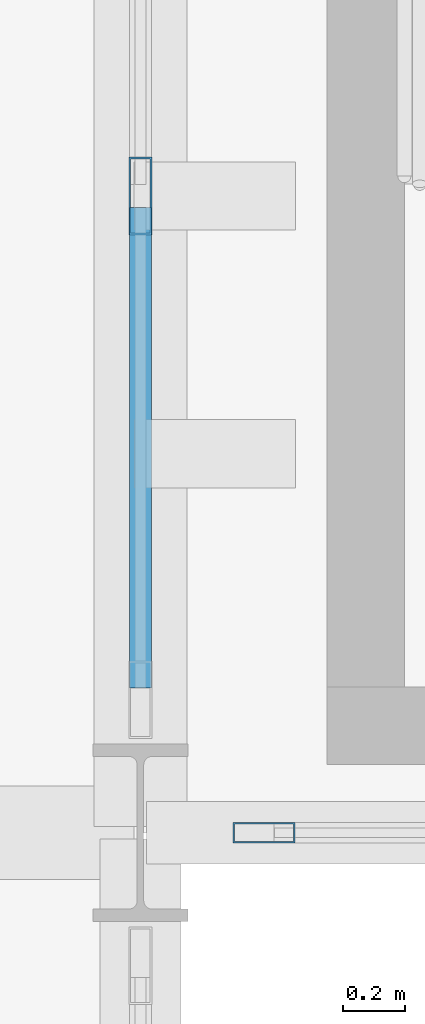
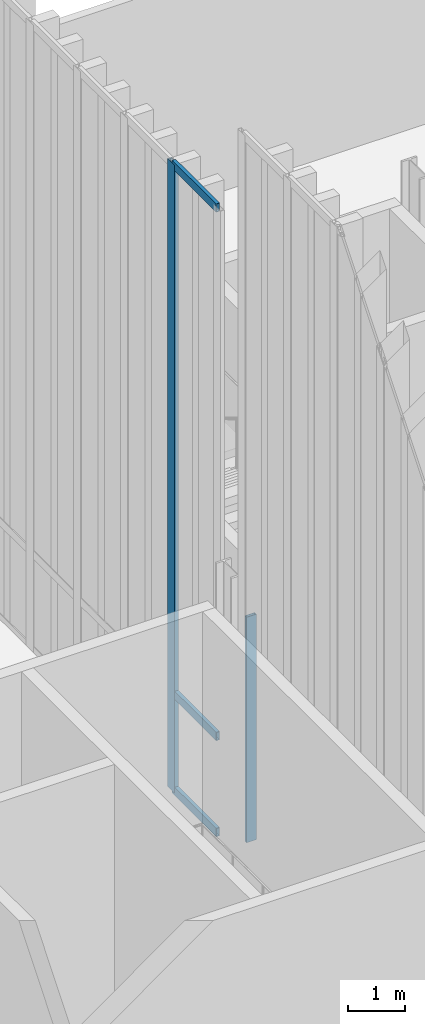
# One storey, part 70 of 237: 5 members, 2 elements without a shape of their own.
"""IFC4 building model written with IfcOpenShell, lengths in metres."""

from ifc_helpers import new_model, si_unit, direction, frame, origin, origin_2d, place, context, subcontext, project, spatial, hollow_rectangle, extrude, material, layer, layer_set, material_profile, profile_set, type_object, element, aggregate, save


model = new_model("IFC4")

# Units and contexts
model_context = context("Model", 3, precision=1e-05, world=origin(), true_north=direction((0.0, 1.0)))
body_context = subcontext(model_context, "Body", "Model", "MODEL_VIEW")
ifc_project = project(units=[si_unit("LENGTHUNIT", "METRE"), si_unit("AREAUNIT", "SQUARE_METRE"), si_unit("VOLUMEUNIT", "CUBIC_METRE"), si_unit("PLANEANGLEUNIT", "RADIAN"), si_unit("MASSUNIT", "GRAM", prefix="KILO")], contexts=[model_context])

# Site, building, storey
site_placement = place(None, origin())
site = spatial("IfcSite", under=ifc_project, at=site_placement, CompositionType="ELEMENT")
building_placement = place(site_placement, origin())
building = spatial("IfcBuilding", under=site, at=building_placement, Name="Barlavento Convention Centre", CompositionType="ELEMENT")
storey_placement = place(building_placement, frame((0.0, 0.0, 12.0)))
storey = spatial("IfcBuildingStorey", under=building, at=storey_placement, Name="L02", CompositionType="ELEMENT", Elevation=12.0)

# Curtain wall, member
ifc_material_1 = material(Name="Powder-coated aluminium and Low-E glass", Category="aluminium")
ifc_layer_1 = layer(ifc_material_1, 0.195068359375)
ifc_layer_set_1 = layer_set([ifc_layer_1], Name="ARC-CW-BALL-L02")
curtain_wall_type_1 = type_object("IfcCurtainWallType", Name="ARC-CW-BALL-L02", PredefinedType="NOTDEFINED", material=ifc_layer_set_1)
curtain_wall_1_placement = place(storey_placement, origin())
curtain_wall_1 = element("IfcCurtainWall", 1, at=curtain_wall_1_placement, inside=storey, type_object=curtain_wall_type_1, Name="L02 unitised curtain wall CW07", PredefinedType="NOTDEFINED")
ifc_material_2 = material(Name="Powder-coated aluminium", Category="aluminium")
ifc_material_profile_1 = material_profile(ifc_material_2, hollow_rectangle(XDim=0.06494140625, YDim=0.199951171875, WallThickness=0.0048828125, at=origin_2d()), Name="AL-MULL 65x200x5")
ifc_profile_set_1 = profile_set([ifc_material_profile_1], Name="Powder-coated aluminium")
member_type_1 = type_object("IfcMemberType", Name="ARC-CWM-65X200", PredefinedType="MULLION", material=ifc_profile_set_1)
member_1_placement = place(storey_placement, frame((63.3984375, 45.0, 0.0), z_axis=(0.0, 0.0, 1.0), x_axis=(0.0, 1.0, 0.0)))
member_1 = element("IfcMember", 2, at=member_1_placement, type_object=member_type_1, Name="CW07 mullion 1", PredefinedType="MULLION", context=body_context, shape_type="SweptSolid", body=[
    extrude(hollow_rectangle(XDim=0.06494140625, YDim=0.199951171875, WallThickness=0.0048828125, at=origin_2d()), origin(), (0.0, 0.0, 1.0), 4.85009765625),
])
aggregate(curtain_wall_1, [member_1])

# Curtain wall, members
ifc_layer_2 = layer(ifc_material_1, 0.18994140625)
ifc_layer_set_2 = layer_set([ifc_layer_2], Name="ARC-CW-CONG-L02")
curtain_wall_type_2 = type_object("IfcCurtainWallType", Name="ARC-CW-CONG-L02", PredefinedType="NOTDEFINED", material=ifc_layer_set_2)
curtain_wall_2_placement = place(storey_placement, origin())
curtain_wall_2 = element("IfcCurtainWall", 3, at=curtain_wall_2_placement, inside=storey, type_object=curtain_wall_type_2, Name="L02 unitised curtain wall CW02", PredefinedType="NOTDEFINED")
ifc_material_profile_2 = material_profile(ifc_material_2, hollow_rectangle(XDim=0.074951171875, YDim=0.25, WallThickness=0.006103515625, at=origin_2d()), Name="AL-MULL 75x250x6")
ifc_profile_set_2 = profile_set([ifc_material_profile_2], Name="Powder-coated aluminium")
member_type_2 = type_object("IfcMemberType", Name="ARC-CWM-75X250", PredefinedType="MULLION", material=ifc_profile_set_2)
member_2_placement = place(storey_placement, frame((63.0, 47.05126953125, 0.0), z_axis=(0.0, 0.0, 1.0), x_axis=(-1.0, 0.0, 0.0)))
member_2 = element("IfcMember", 4, at=member_2_placement, type_object=member_type_2, Name="CW02 mullion 2", PredefinedType="MULLION", context=body_context, shape_type="SweptSolid", body=[
    extrude(hollow_rectangle(XDim=0.074951171875, YDim=0.25, WallThickness=0.006103515625, at=origin_2d()), origin(), (0.0, 0.0, 1.0), 13.5029296875),
])
ifc_material_profile_3 = material_profile(ifc_material_2, hollow_rectangle(XDim=0.070068359375, YDim=0.179931640625, WallThickness=0.0048828125, at=origin_2d()), Name="AL-TRAN 70x180x5")
ifc_profile_set_3 = profile_set([ifc_material_profile_3], Name="Powder-coated aluminium")
member_type_3 = type_object("IfcMemberType", Name="ARC-CWT-70X180", PredefinedType="USERDEFINED", material=ifc_profile_set_3)
member_3_placement = place(storey_placement, frame((63.0, 45.466064453125, 0.034912109375), z_axis=(0.0, 1.0, 0.0), x_axis=(-1.0, 0.0, 0.0)))
member_3 = element("IfcMember", 5, at=member_3_placement, type_object=member_type_3, Name="CW02 transom 1.1", ObjectType="TRANSOM", PredefinedType="USERDEFINED", context=body_context, shape_type="SweptSolid", body=[
    extrude(hollow_rectangle(XDim=0.070068359375, YDim=0.179931640625, WallThickness=0.0048828125, at=origin_2d()), origin(), (0.0, 0.0, 1.0), 1.547607421875),
])
member_4_placement = place(storey_placement, frame((63.0, 45.466064453125, 2.10009765625), z_axis=(0.0, 1.0, 0.0), x_axis=(-1.0, 0.0, 0.0)))
member_4 = element("IfcMember", 6, at=member_4_placement, type_object=member_type_3, Name="CW02 transom 1.2", ObjectType="TRANSOM", PredefinedType="USERDEFINED", context=body_context, shape_type="SweptSolid", body=[
    extrude(hollow_rectangle(XDim=0.070068359375, YDim=0.179931640625, WallThickness=0.0048828125, at=origin_2d()), origin(), (0.0, 0.0, 1.0), 1.547607421875),
])
member_5_placement = place(storey_placement, frame((63.0, 45.466064453125, 13.468017578125), z_axis=(0.0, 1.0, 0.0), x_axis=(-1.0, 0.0, 0.0)))
member_5 = element("IfcMember", 7, at=member_5_placement, type_object=member_type_3, Name="CW02 transom 1.3", ObjectType="TRANSOM", PredefinedType="USERDEFINED", context=body_context, shape_type="SweptSolid", body=[
    extrude(hollow_rectangle(XDim=0.070068359375, YDim=0.179931640625, WallThickness=0.0048828125, at=origin_2d()), origin(), (0.0, 0.0, 1.0), 1.547607421875),
])
aggregate(curtain_wall_2, [member_2, member_3, member_4, member_5])

save(model, "model.ifc")
